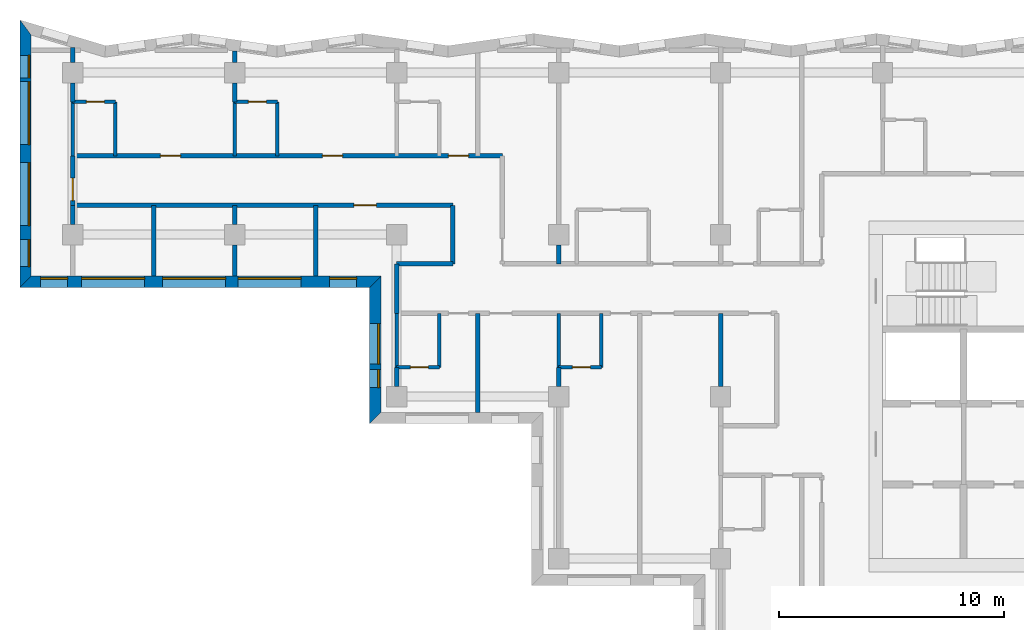
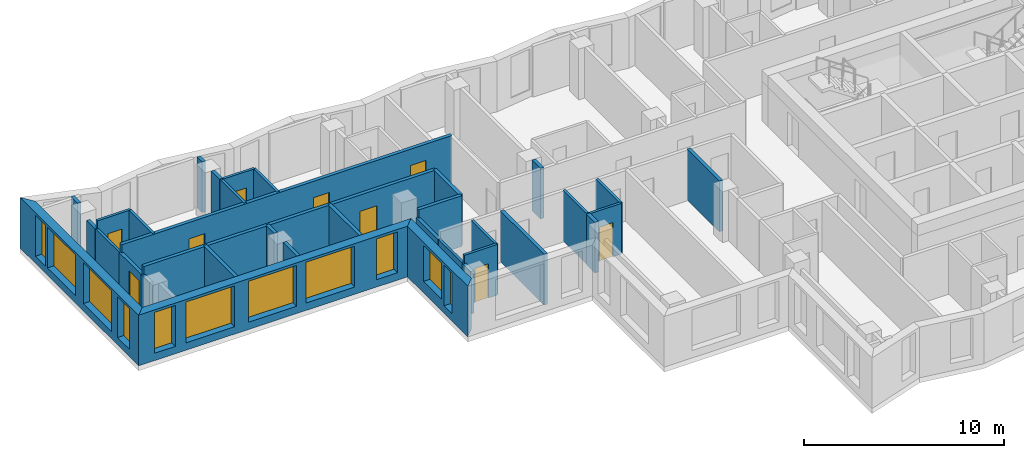
# One storey, part 4 of 12: 35 walls, 11 windows, 9 doors, 20 openings.
"""IFC4 building model written with IfcOpenShell, lengths in metres."""

from ifc_helpers import new_model, si_unit, direction, frame, frame_2d, origin, place, context, subcontext, project, spatial, polyline, rectangle, outline, extrude, material, layer, layer_set, type_object, element, fill, save


model = new_model("IFC4")

# Units and contexts
model_context = context("Model", 3, precision=1e-05, world=origin(), true_north=direction((0.0, 1.0)))
body_context = subcontext(model_context, "Body", "Model", "MODEL_VIEW")
ifc_project = project(units=[si_unit("LENGTHUNIT", "METRE"), si_unit("AREAUNIT", "SQUARE_METRE"), si_unit("VOLUMEUNIT", "CUBIC_METRE"), si_unit("PLANEANGLEUNIT", "RADIAN"), si_unit("MASSUNIT", "GRAM", prefix="KILO")], contexts=[model_context])

# Site, building, storey
site_placement = place(None, origin())
site = spatial("IfcSite", under=ifc_project, at=site_placement, CompositionType="ELEMENT")
building_placement = place(site_placement, origin())
building = spatial("IfcBuilding", under=site, at=building_placement, Name="Windrow Commons", CompositionType="ELEMENT")
storey_placement = place(building_placement, frame((0.0, 0.0, 162.6)))
storey = spatial("IfcBuildingStorey", under=building, at=storey_placement, Name="L44", CompositionType="ELEMENT", Elevation=162.6)

# Wall, openings, windows
ifc_material_1 = material(Name="Brick masonry, red clay brick", Category="masonry")
ifc_layer_1 = layer(ifc_material_1, 0.5)
ifc_layer_set_1 = layer_set([ifc_layer_1], Name="Brick facade wall 500")
wall_type_1 = type_object("IfcWallType", Name="Brick facade wall 500", PredefinedType="SOLIDWALL", material=ifc_layer_set_1)
wall_1_placement = place(storey_placement, frame((19.508, 74.006, 0.0), z_axis=(0.0, 0.0, 1.0), x_axis=(0.0, -1.0, 0.0)))
wall_1 = element("IfcWall", 1, at=wall_1_placement, inside=storey, type_object=wall_type_1, Name="Brick facade wall L44 35", PredefinedType="SOLIDWALL", context=body_context, shape_type="SweptSolid", body=[
    extrude(outline(polyline([(-0.336, -0.25), (11.548, -0.25), (11.048, 0.25), (0.336, 0.25), (-0.336, -0.25)])), origin(), (0.0, 0.0, 1.0), 3.1),
])
opening_1_placement = place(wall_1_placement, frame((2.406, 0.0, 0.45)))
opening_1 = element("IfcOpeningElement", 2, at=opening_1_placement, cuts=wall_1, Name="Opening W1U", PredefinedType="OPENING", context=body_context, shape_type="SweptSolid", body=[
    extrude(rectangle(XDim=2.8, YDim=2.5, at=frame_2d((1.4, 1.25))), frame((0.0, 0.26, 0.0), z_axis=(0.0, -1.0, 0.0), x_axis=(1.0, 0.0, 0.0)), (0.0, 0.0, 1.0), 0.52),
])
opening_2_placement = place(wall_1_placement, frame((6.006, 0.0, 0.45)))
opening_2 = element("IfcOpeningElement", 3, at=opening_2_placement, cuts=wall_1, Name="Opening W1U", PredefinedType="OPENING", context=body_context, shape_type="SweptSolid", body=[
    extrude(rectangle(XDim=2.8, YDim=2.5, at=frame_2d((1.4, 1.25))), frame((0.0, 0.26, 0.0), z_axis=(0.0, -1.0, 0.0), x_axis=(1.0, 0.0, 0.0)), (0.0, 0.0, 1.0), 0.52),
])
opening_3_placement = place(wall_1_placement, frame((9.427, 0.0, 0.45)))
opening_3 = element("IfcOpeningElement", 4, at=opening_3_placement, cuts=wall_1, Name="Opening W7E", PredefinedType="OPENING", context=body_context, shape_type="SweptSolid", body=[
    extrude(rectangle(XDim=1.2, YDim=2.5, at=frame_2d((0.6, 1.25))), frame((0.0, 0.26, 0.0), z_axis=(0.0, -1.0, 0.0), x_axis=(1.0, 0.0, 0.0)), (0.0, 0.0, 1.0), 0.52),
])
opening_4_placement = place(wall_1_placement, frame((1.231, 0.0, 0.45)))
opening_4 = element("IfcOpeningElement", 5, at=opening_4_placement, cuts=wall_1, Name="Opening W1S", PredefinedType="OPENING", context=body_context, shape_type="SweptSolid", body=[
    extrude(rectangle(XDim=1.0, YDim=2.5, at=frame_2d((0.5, 1.25))), frame((0.0, 0.26, 0.0), z_axis=(0.0, -1.0, 0.0), x_axis=(1.0, 0.0, 0.0)), (0.0, 0.0, 1.0), 0.52),
])
ifc_material_2 = material(Name="Clear float glass in anodised aluminium frame", Category="aluminium")
window_type_1 = type_object("IfcWindowType", Name="Window W1S slit 1000x2500", PartitioningType="SINGLE_PANEL", PredefinedType="WINDOW", material=ifc_material_2)
window_1_placement = place(opening_4_placement, origin())
window_1 = element("IfcWindow", 6, at=window_1_placement, inside=storey, type_object=window_type_1, Name="Window L44 35.3A", OverallHeight=2.5, OverallWidth=1.0, PartitioningType="SINGLE_PANEL", PredefinedType="WINDOW", context=body_context, shape_type="SweptSolid", body=[
    extrude(rectangle(XDim=1.0, YDim=2.5, at=frame_2d((0.5, 1.25))), frame((0.0, 0.18, 0.0), z_axis=(0.0, -1.0, 0.0), x_axis=(1.0, 0.0, 0.0)), (0.0, 0.0, 1.0), 0.06),
])
fill(opening_4, window_1)
ifc_material_3 = material(Name="Clear float glass in anodised aluminium frame", Category="aluminium")
window_type_2 = type_object("IfcWindowType", Name="Window W1U bedroom 2800x2500", PartitioningType="SINGLE_PANEL", PredefinedType="WINDOW", material=ifc_material_3)
window_2_placement = place(opening_1_placement, origin())
window_2 = element("IfcWindow", 7, at=window_2_placement, inside=storey, type_object=window_type_2, Name="Window L44 35.1", OverallHeight=2.5, OverallWidth=2.8, PartitioningType="SINGLE_PANEL", PredefinedType="WINDOW", context=body_context, shape_type="SweptSolid", body=[
    extrude(rectangle(XDim=2.8, YDim=2.5, at=frame_2d((1.4, 1.25))), frame((0.0, 0.18, 0.0), z_axis=(0.0, -1.0, 0.0), x_axis=(1.0, 0.0, 0.0)), (0.0, 0.0, 1.0), 0.06),
])
fill(opening_1, window_2)
window_3_placement = place(opening_2_placement, origin())
window_3 = element("IfcWindow", 8, at=window_3_placement, inside=storey, type_object=window_type_2, Name="Window L44 35.2", OverallHeight=2.5, OverallWidth=2.8, PartitioningType="SINGLE_PANEL", PredefinedType="WINDOW", context=body_context, shape_type="SweptSolid", body=[
    extrude(rectangle(XDim=2.8, YDim=2.5, at=frame_2d((1.4, 1.25))), frame((0.0, 0.18, 0.0), z_axis=(0.0, -1.0, 0.0), x_axis=(1.0, 0.0, 0.0)), (0.0, 0.0, 1.0), 0.06),
])
fill(opening_2, window_3)
ifc_material_4 = material(Name="Clear float glass in anodised aluminium frame", Category="aluminium")
window_type_3 = type_object("IfcWindowType", Name="Window W7 notch 1200x2500", PartitioningType="SINGLE_PANEL", PredefinedType="WINDOW", material=ifc_material_4)
window_4_placement = place(opening_3_placement, origin())
window_4 = element("IfcWindow", 9, at=window_4_placement, inside=storey, type_object=window_type_3, Name="Window L44 35.4", OverallHeight=2.5, OverallWidth=1.2, PartitioningType="SINGLE_PANEL", PredefinedType="WINDOW", context=body_context, shape_type="SweptSolid", body=[
    extrude(rectangle(XDim=1.2, YDim=2.5, at=frame_2d((0.6, 1.25))), frame((0.0, 0.18, 0.0), z_axis=(0.0, -1.0, 0.0), x_axis=(1.0, 0.0, 0.0)), (0.0, 0.0, 1.0), 0.06),
])
fill(opening_3, window_4)

wall_2_placement = place(storey_placement, frame((19.508, 62.708, 0.0), z_axis=(0.0, 0.0, 1.0), x_axis=(1.0, 0.0, 0.0)))
wall_2 = element("IfcWall", 10, at=wall_2_placement, inside=storey, type_object=wall_type_1, Name="Brick facade wall L44 36", PredefinedType="SOLIDWALL", context=body_context, shape_type="SweptSolid", body=[
    extrude(outline(polyline([(-0.25, -0.25), (15.292, -0.25), (15.792, 0.25), (0.25, 0.25), (-0.25, -0.25)])), origin(), (0.0, 0.0, 1.0), 3.1),
])
opening_5_placement = place(wall_2_placement, frame((2.492, 0.0, 0.45)))
opening_5 = element("IfcOpeningElement", 11, at=opening_5_placement, cuts=wall_2, Name="Opening W1U", PredefinedType="OPENING", context=body_context, shape_type="SweptSolid", body=[
    extrude(rectangle(XDim=2.8, YDim=2.5, at=frame_2d((1.4, 1.25))), frame((0.0, 0.26, 0.0), z_axis=(0.0, -1.0, 0.0), x_axis=(1.0, 0.0, 0.0)), (0.0, 0.0, 1.0), 0.52),
])
opening_6_placement = place(wall_2_placement, frame((6.092, 0.0, 0.45)))
opening_6 = element("IfcOpeningElement", 12, at=opening_6_placement, cuts=wall_2, Name="Opening W1U", PredefinedType="OPENING", context=body_context, shape_type="SweptSolid", body=[
    extrude(rectangle(XDim=2.8, YDim=2.5, at=frame_2d((1.4, 1.25))), frame((0.0, 0.26, 0.0), z_axis=(0.0, -1.0, 0.0), x_axis=(1.0, 0.0, 0.0)), (0.0, 0.0, 1.0), 0.52),
])
opening_7_placement = place(wall_2_placement, frame((9.442, 0.0, 0.45)))
opening_7 = element("IfcOpeningElement", 13, at=opening_7_placement, cuts=wall_2, Name="Opening W1U", PredefinedType="OPENING", context=body_context, shape_type="SweptSolid", body=[
    extrude(rectangle(XDim=2.8, YDim=2.5, at=frame_2d((1.4, 1.25))), frame((0.0, 0.26, 0.0), z_axis=(0.0, -1.0, 0.0), x_axis=(1.0, 0.0, 0.0)), (0.0, 0.0, 1.0), 0.52),
])
opening_8_placement = place(wall_2_placement, frame((0.671, 0.0, 0.45)))
opening_8 = element("IfcOpeningElement", 14, at=opening_8_placement, cuts=wall_2, Name="Opening W7E", PredefinedType="OPENING", context=body_context, shape_type="SweptSolid", body=[
    extrude(rectangle(XDim=1.2, YDim=2.5, at=frame_2d((0.6, 1.25))), frame((0.0, 0.26, 0.0), z_axis=(0.0, -1.0, 0.0), x_axis=(1.0, 0.0, 0.0)), (0.0, 0.0, 1.0), 0.52),
])
opening_9_placement = place(wall_2_placement, frame((13.517, 0.0, 0.45)))
opening_9 = element("IfcOpeningElement", 15, at=opening_9_placement, cuts=wall_2, Name="Opening W7E", PredefinedType="OPENING", context=body_context, shape_type="SweptSolid", body=[
    extrude(rectangle(XDim=1.2, YDim=2.5, at=frame_2d((0.6, 1.25))), frame((0.0, 0.26, 0.0), z_axis=(0.0, -1.0, 0.0), x_axis=(1.0, 0.0, 0.0)), (0.0, 0.0, 1.0), 0.52),
])
window_5_placement = place(opening_5_placement, origin())
window_5 = element("IfcWindow", 16, at=window_5_placement, inside=storey, type_object=window_type_2, Name="Window L44 36.1", OverallHeight=2.5, OverallWidth=2.8, PartitioningType="SINGLE_PANEL", PredefinedType="WINDOW", context=body_context, shape_type="SweptSolid", body=[
    extrude(rectangle(XDim=2.8, YDim=2.5, at=frame_2d((1.4, 1.25))), frame((0.0, 0.18, 0.0), z_axis=(0.0, -1.0, 0.0), x_axis=(1.0, 0.0, 0.0)), (0.0, 0.0, 1.0), 0.06),
])
fill(opening_5, window_5)
window_6_placement = place(opening_6_placement, origin())
window_6 = element("IfcWindow", 17, at=window_6_placement, inside=storey, type_object=window_type_2, Name="Window L44 36.2", OverallHeight=2.5, OverallWidth=2.8, PartitioningType="SINGLE_PANEL", PredefinedType="WINDOW", context=body_context, shape_type="SweptSolid", body=[
    extrude(rectangle(XDim=2.8, YDim=2.5, at=frame_2d((1.4, 1.25))), frame((0.0, 0.18, 0.0), z_axis=(0.0, -1.0, 0.0), x_axis=(1.0, 0.0, 0.0)), (0.0, 0.0, 1.0), 0.06),
])
fill(opening_6, window_6)
window_7_placement = place(opening_7_placement, origin())
window_7 = element("IfcWindow", 18, at=window_7_placement, inside=storey, type_object=window_type_2, Name="Window L44 36.3", OverallHeight=2.5, OverallWidth=2.8, PartitioningType="SINGLE_PANEL", PredefinedType="WINDOW", context=body_context, shape_type="SweptSolid", body=[
    extrude(rectangle(XDim=2.8, YDim=2.5, at=frame_2d((1.4, 1.25))), frame((0.0, 0.18, 0.0), z_axis=(0.0, -1.0, 0.0), x_axis=(1.0, 0.0, 0.0)), (0.0, 0.0, 1.0), 0.06),
])
fill(opening_7, window_7)
window_8_placement = place(opening_8_placement, origin())
window_8 = element("IfcWindow", 19, at=window_8_placement, inside=storey, type_object=window_type_3, Name="Window L44 36.4", OverallHeight=2.5, OverallWidth=1.2, PartitioningType="SINGLE_PANEL", PredefinedType="WINDOW", context=body_context, shape_type="SweptSolid", body=[
    extrude(rectangle(XDim=1.2, YDim=2.5, at=frame_2d((0.6, 1.25))), frame((0.0, 0.18, 0.0), z_axis=(0.0, -1.0, 0.0), x_axis=(1.0, 0.0, 0.0)), (0.0, 0.0, 1.0), 0.06),
])
fill(opening_8, window_8)
window_9_placement = place(opening_9_placement, origin())
window_9 = element("IfcWindow", 20, at=window_9_placement, inside=storey, type_object=window_type_3, Name="Window L44 36.5", OverallHeight=2.5, OverallWidth=1.2, PartitioningType="SINGLE_PANEL", PredefinedType="WINDOW", context=body_context, shape_type="SweptSolid", body=[
    extrude(rectangle(XDim=1.2, YDim=2.5, at=frame_2d((0.6, 1.25))), frame((0.0, 0.18, 0.0), z_axis=(0.0, -1.0, 0.0), x_axis=(1.0, 0.0, 0.0)), (0.0, 0.0, 1.0), 0.06),
])
fill(opening_9, window_9)

wall_3_placement = place(storey_placement, frame((35.05, 62.708, 0.0), z_axis=(0.0, 0.0, 1.0), x_axis=(0.0, -1.0, 0.0)))
wall_3 = element("IfcWall", 21, at=wall_3_placement, inside=storey, type_object=wall_type_1, Name="Brick facade wall L44 37", PredefinedType="SOLIDWALL", context=body_context, shape_type="SweptSolid", body=[
    extrude(outline(polyline([(0.25, -0.25), (6.308, -0.25), (5.808, 0.25), (-0.25, 0.25), (0.25, -0.25)])), origin(), (0.0, 0.0, 1.0), 3.1),
])
opening_10_placement = place(wall_3_placement, frame((1.858, 0.0, 0.7)))
opening_10 = element("IfcOpeningElement", 22, at=opening_10_placement, cuts=wall_3, Name="Opening W6", PredefinedType="OPENING", context=body_context, shape_type="SweptSolid", body=[
    extrude(rectangle(XDim=1.8, YDim=2.2, at=frame_2d((0.9, 1.1))), frame((0.0, 0.26, 0.0), z_axis=(0.0, -1.0, 0.0), x_axis=(1.0, 0.0, 0.0)), (0.0, 0.0, 1.0), 0.52),
])
opening_11_placement = place(wall_3_placement, frame((3.908, 0.0, 0.45)))
opening_11 = element("IfcOpeningElement", 23, at=opening_11_placement, cuts=wall_3, Name="Opening W1N", PredefinedType="OPENING", context=body_context, shape_type="SweptSolid", body=[
    extrude(rectangle(XDim=0.8, YDim=2.5, at=frame_2d((0.4, 1.25))), frame((0.0, 0.26, 0.0), z_axis=(0.0, -1.0, 0.0), x_axis=(1.0, 0.0, 0.0)), (0.0, 0.0, 1.0), 0.52),
])
ifc_material_5 = material(Name="Clear float glass in anodised aluminium frame", Category="aluminium")
window_type_4 = type_object("IfcWindowType", Name="Window W1N slit 800x2500", PartitioningType="SINGLE_PANEL", PredefinedType="WINDOW", material=ifc_material_5)
window_10_placement = place(opening_11_placement, origin())
window_10 = element("IfcWindow", 24, at=window_10_placement, inside=storey, type_object=window_type_4, Name="Window L44 37.1B", OverallHeight=2.5, OverallWidth=0.8, PartitioningType="SINGLE_PANEL", PredefinedType="WINDOW", context=body_context, shape_type="SweptSolid", body=[
    extrude(rectangle(XDim=0.8, YDim=2.5, at=frame_2d((0.4, 1.25))), frame((0.0, 0.18, 0.0), z_axis=(0.0, -1.0, 0.0), x_axis=(1.0, 0.0, 0.0)), (0.0, 0.0, 1.0), 0.06),
])
fill(opening_11, window_10)
ifc_material_6 = material(Name="Clear float glass in anodised aluminium frame", Category="aluminium")
window_type_5 = type_object("IfcWindowType", Name="Window W6 crown 1800x2200", PartitioningType="SINGLE_PANEL", PredefinedType="WINDOW", material=ifc_material_6)
window_11_placement = place(opening_10_placement, origin())
window_11 = element("IfcWindow", 25, at=window_11_placement, inside=storey, type_object=window_type_5, Name="Window L44 37.1A", OverallHeight=2.2, OverallWidth=1.8, PartitioningType="SINGLE_PANEL", PredefinedType="WINDOW", context=body_context, shape_type="SweptSolid", body=[
    extrude(rectangle(XDim=1.8, YDim=2.2, at=frame_2d((0.9, 1.1))), frame((0.0, 0.18, 0.0), z_axis=(0.0, -1.0, 0.0), x_axis=(1.0, 0.0, 0.0)), (0.0, 0.0, 1.0), 0.06),
])
fill(opening_10, window_11)

# Wall, openings, doors
ifc_material_7 = material(Name="Blockwork partition", Category="masonry")
ifc_layer_2 = layer(ifc_material_7, 0.2)
ifc_layer_set_2 = layer_set([ifc_layer_2], Name="IW-CORRIDOR-200")
wall_type_2 = type_object("IfcWallType", Name="IW-CORRIDOR-200", PredefinedType="PARTITIONING", material=ifc_layer_set_2)
wall_4_placement = place(storey_placement, frame((21.6, 68.3, 0.0), z_axis=(0.0, 0.0, 1.0), x_axis=(1.0, 0.0, 0.0)))
wall_4 = element("IfcWall", 26, at=wall_4_placement, inside=storey, type_object=wall_type_2, Name="W-L44-W002", PredefinedType="PARTITIONING", context=body_context, shape_type="SweptSolid", body=[
    extrude(rectangle(XDim=19.1, YDim=0.2, at=frame_2d((9.55, 0.0))), origin(), (0.0, 0.0, 1.0), 3.1),
])
opening_12_placement = place(wall_4_placement, frame((3.8994, 0.0, 0.0)))
opening_12 = element("IfcOpeningElement", 27, at=opening_12_placement, cuts=wall_4, Name="Opening D109F", PredefinedType="OPENING", context=body_context, shape_type="SweptSolid", body=[
    extrude(rectangle(XDim=0.9, YDim=2.1, at=frame_2d((0.45, 1.05))), frame((0.0, 0.11, 0.0), z_axis=(0.0, -1.0, 0.0), x_axis=(1.0, 0.0, 0.0)), (0.0, 0.0, 1.0), 0.22),
])
opening_13_placement = place(wall_4_placement, frame((11.0994, 0.0, 0.0)))
opening_13 = element("IfcOpeningElement", 28, at=opening_13_placement, cuts=wall_4, Name="Opening D109F", PredefinedType="OPENING", context=body_context, shape_type="SweptSolid", body=[
    extrude(rectangle(XDim=0.9, YDim=2.1, at=frame_2d((0.45, 1.05))), frame((0.0, 0.11, 0.0), z_axis=(0.0, -1.0, 0.0), x_axis=(1.0, 0.0, 0.0)), (0.0, 0.0, 1.0), 0.22),
])
opening_14_placement = place(wall_4_placement, frame((16.7, 0.0, 0.0)))
opening_14 = element("IfcOpeningElement", 29, at=opening_14_placement, cuts=wall_4, Name="Opening D109S", PredefinedType="OPENING", context=body_context, shape_type="SweptSolid", body=[
    extrude(rectangle(XDim=0.9, YDim=2.1, at=frame_2d((0.45, 1.05))), frame((0.0, 0.11, 0.0), z_axis=(0.0, -1.0, 0.0), x_axis=(1.0, 0.0, 0.0)), (0.0, 0.0, 1.0), 0.22),
])
ifc_material_8 = material(Name="Timber door leaf", Category="wood")
door_type_1 = type_object("IfcDoorType", Name="DT-BEDROOM-900", OperationType="SINGLE_SWING_LEFT", PredefinedType="DOOR", material=ifc_material_8)
door_1_placement = place(opening_12_placement, origin())
door_1 = element("IfcDoor", 30, at=door_1_placement, inside=storey, type_object=door_type_1, Name="D-L44-D004", OperationType="SINGLE_SWING_RIGHT", OverallHeight=2.1, OverallWidth=0.9, PredefinedType="DOOR", context=body_context, shape_type="SweptSolid", body=[
    extrude(rectangle(XDim=0.9, YDim=2.1, at=frame_2d((0.45, 1.05))), frame((0.0, 0.025, 0.0), z_axis=(0.0, -1.0, 0.0), x_axis=(1.0, 0.0, 0.0)), (0.0, 0.0, 1.0), 0.05),
])
fill(opening_12, door_1)
door_2_placement = place(opening_13_placement, origin())
door_2 = element("IfcDoor", 31, at=door_2_placement, inside=storey, type_object=door_type_1, Name="D-L44-D006", OperationType="SINGLE_SWING_RIGHT", OverallHeight=2.1, OverallWidth=0.9, PredefinedType="DOOR", context=body_context, shape_type="SweptSolid", body=[
    extrude(rectangle(XDim=0.9, YDim=2.1, at=frame_2d((0.45, 1.05))), frame((0.0, 0.025, 0.0), z_axis=(0.0, -1.0, 0.0), x_axis=(1.0, 0.0, 0.0)), (0.0, 0.0, 1.0), 0.05),
])
fill(opening_13, door_2)
door_3_placement = place(opening_14_placement, origin())
door_3 = element("IfcDoor", 32, at=door_3_placement, inside=storey, type_object=door_type_1, Name="D-L44-D008", OperationType="SINGLE_SWING_RIGHT", OverallHeight=2.1, OverallWidth=0.9, PredefinedType="DOOR", context=body_context, shape_type="SweptSolid", body=[
    extrude(rectangle(XDim=0.9, YDim=2.1, at=frame_2d((0.45, 1.05))), frame((0.0, 0.025, 0.0), z_axis=(0.0, -1.0, 0.0), x_axis=(1.0, 0.0, 0.0)), (0.0, 0.0, 1.0), 0.05),
])
fill(opening_14, door_3)

# Wall, opening, door
wall_5_placement = place(storey_placement, frame((21.6, 66.1, 0.0), z_axis=(0.0, 0.0, 1.0), x_axis=(1.0, 0.0, 0.0)))
wall_5 = element("IfcWall", 33, at=wall_5_placement, inside=storey, type_object=wall_type_2, Name="W-L44-W003", PredefinedType="PARTITIONING", context=body_context, shape_type="SweptSolid", body=[
    extrude(rectangle(XDim=16.9, YDim=0.2, at=frame_2d((8.45, 0.0))), origin(), (0.0, 0.0, 1.0), 3.1),
])
opening_15_placement = place(wall_5_placement, frame((12.4933, 0.0, 0.0)))
opening_15 = element("IfcOpeningElement", 34, at=opening_15_placement, cuts=wall_5, Name="Opening D310F", PredefinedType="OPENING", context=body_context, shape_type="SweptSolid", body=[
    extrude(rectangle(XDim=1.0, YDim=2.1, at=frame_2d((0.5, 1.05))), frame((0.0, 0.11, 0.0), z_axis=(0.0, -1.0, 0.0), x_axis=(1.0, 0.0, 0.0)), (0.0, 0.0, 1.0), 0.22),
])
ifc_material_9 = material(Name="Timber door leaf", Category="wood")
door_type_2 = type_object("IfcDoorType", Name="DT-AMENITY-1000", OperationType="SINGLE_SWING_LEFT", PredefinedType="DOOR", material=ifc_material_9)
door_4_placement = place(opening_15_placement, origin())
door_4 = element("IfcDoor", 35, at=door_4_placement, inside=storey, type_object=door_type_2, Name="D-L44-D010", OperationType="SINGLE_SWING_RIGHT", OverallHeight=2.1, OverallWidth=1.0, PredefinedType="DOOR", context=body_context, shape_type="SweptSolid", body=[
    extrude(rectangle(XDim=1.0, YDim=2.1, at=frame_2d((0.5, 1.05))), frame((0.0, 0.025, 0.0), z_axis=(0.0, -1.0, 0.0), x_axis=(1.0, 0.0, 0.0)), (0.0, 0.0, 1.0), 0.05),
])
fill(opening_15, door_4)

# Walls
wall_6_placement = place(storey_placement, frame((38.5, 63.502, 0.0), z_axis=(0.0, 0.0, 1.0), x_axis=(0.0, 1.0, 0.0)))
element("IfcWall", 36, at=wall_6_placement, inside=storey, type_object=wall_type_2, Name="W-L44-W065", PredefinedType="PARTITIONING", context=body_context, shape_type="SweptSolid", body=[
    extrude(rectangle(XDim=2.598, YDim=0.2, at=frame_2d((1.299, 0.0))), origin(), (0.0, 0.0, 1.0), 3.1),
])
wall_7_placement = place(storey_placement, frame((36.002, 63.5, 0.0), z_axis=(0.0, 0.0, 1.0), x_axis=(1.0, 0.0, 0.0)))
element("IfcWall", 37, at=wall_7_placement, inside=storey, type_object=wall_type_2, Name="W-L44-W067", PredefinedType="PARTITIONING", context=body_context, shape_type="SweptSolid", body=[
    extrude(rectangle(XDim=2.498, YDim=0.2, at=frame_2d((1.249, 0.0))), origin(), (0.0, 0.0, 1.0), 3.1),
])

# Wall, opening, door
wall_8_placement = place(storey_placement, frame((21.6, 66.1, 0.0), z_axis=(0.0, 0.0, 1.0), x_axis=(0.0, 1.0, 0.0)))
wall_8 = element("IfcWall", 38, at=wall_8_placement, inside=storey, type_object=wall_type_2, Name="W-L44-W107", PredefinedType="PARTITIONING", context=body_context, shape_type="SweptSolid", body=[
    extrude(rectangle(XDim=2.2, YDim=0.2, at=frame_2d((1.1, 0.0))), origin(), (0.0, 0.0, 1.0), 2.6),
])
opening_16_placement = place(wall_8_placement, frame((0.2133, 0.0, 0.0)))
opening_16 = element("IfcOpeningElement", 39, at=opening_16_placement, cuts=wall_8, Name="Opening D310F", PredefinedType="OPENING", context=body_context, shape_type="SweptSolid", body=[
    extrude(rectangle(XDim=1.0, YDim=2.1, at=frame_2d((0.5, 1.05))), frame((0.0, 0.11, 0.0), z_axis=(0.0, -1.0, 0.0), x_axis=(1.0, 0.0, 0.0)), (0.0, 0.0, 1.0), 0.22),
])
door_5_placement = place(opening_16_placement, origin())
door_5 = element("IfcDoor", 40, at=door_5_placement, inside=storey, type_object=door_type_2, Name="D-L44-D000", OperationType="SINGLE_SWING_LEFT", OverallHeight=2.1, OverallWidth=1.0, PredefinedType="DOOR", context=body_context, shape_type="SweptSolid", body=[
    extrude(rectangle(XDim=1.0, YDim=2.1, at=frame_2d((0.5, 1.05))), frame((0.0, 0.025, 0.0), z_axis=(0.0, -1.0, 0.0), x_axis=(1.0, 0.0, 0.0)), (0.0, 0.0, 1.0), 0.05),
])
fill(opening_16, door_5)

# Walls
wall_9_placement = place(storey_placement, frame((36.0, 61.3, 0.0), z_axis=(0.0, 0.0, 1.0), x_axis=(0.0, 1.0, 0.0)))
element("IfcWall", 41, at=wall_9_placement, inside=storey, type_object=wall_type_2, Name="W-L44-W108", PredefinedType="PARTITIONING", context=body_context, shape_type="SweptSolid", body=[
    extrude(rectangle(XDim=2.2, YDim=0.2, at=frame_2d((1.1, 0.0))), origin(), (0.0, 0.0, 1.0), 2.6),
])
ifc_material_10 = material(Name="Blockwork partition", Category="masonry")
ifc_layer_3 = layer(ifc_material_10, 0.15)
ifc_layer_set_3 = layer_set([ifc_layer_3], Name="IW-ENSUITE-150")
wall_type_3 = type_object("IfcWallType", Name="IW-ENSUITE-150", PredefinedType="PARTITIONING", material=ifc_layer_set_3)
wall_10_placement = place(storey_placement, frame((21.6, 68.3, 0.0), z_axis=(0.0, 0.0, 1.0), x_axis=(0.0, 1.0, 0.0)))
element("IfcWall", 42, at=wall_10_placement, inside=storey, type_object=wall_type_3, Name="W-L44-W072", PredefinedType="PARTITIONING", context=body_context, shape_type="SweptSolid", body=[
    extrude(rectangle(XDim=2.4, YDim=0.15, at=frame_2d((1.2, 0.0))), origin(), (0.0, 0.0, 1.0), 2.6),
])
for number, where, z_axis, x_axis, name in (
    (43, (23.5, 68.3, 0.0), (0.0, 0.0, 1.0), (0.0, 1.0, 0.0), "W-L44-W073"),
    (44, (28.8, 68.3, 0.0), (0.0, 0.0, 1.0), (0.0, 1.0, 0.0), "W-L44-W074"),
    (45, (30.7, 68.3, 0.0), (0.0, 0.0, 1.0), (0.0, 1.0, 0.0), "W-L44-W075"),
    (46, (37.9, 58.9, 0.0), (0.0, 0.0, 1.0), (0.0, 1.0, 0.0), "W-L44-W092"),
):
    element("IfcWall", number, at=place(storey_placement, frame(where, z_axis=z_axis, x_axis=x_axis)), inside=storey, type_object=wall_type_3, Name=name, PredefinedType="PARTITIONING", context=body_context, shape_type="SweptSolid", body=[
        extrude(rectangle(XDim=2.4, YDim=0.15, at=frame_2d((1.2, 0.0))), origin(), (0.0, 0.0, 1.0), 3.1),
    ])
wall_11_placement = place(storey_placement, frame((36.0, 58.9, 0.0), z_axis=(0.0, 0.0, 1.0), x_axis=(0.0, 1.0, 0.0)))
element("IfcWall", 47, at=wall_11_placement, inside=storey, type_object=wall_type_3, Name="W-L44-W093", PredefinedType="PARTITIONING", context=body_context, shape_type="SweptSolid", body=[
    extrude(rectangle(XDim=2.4, YDim=0.15, at=frame_2d((1.2, 0.0))), origin(), (0.0, 0.0, 1.0), 2.6),
])
for number, where, z_axis, x_axis, name in (
    (48, (45.1, 58.9, 0.0), (0.0, 0.0, 1.0), (0.0, 1.0, 0.0), "W-L44-W094"),
    (49, (43.2, 58.9, 0.0), (0.0, 0.0, 1.0), (0.0, 1.0, 0.0), "W-L44-W095"),
):
    element("IfcWall", number, at=place(storey_placement, frame(where, z_axis=z_axis, x_axis=x_axis)), inside=storey, type_object=wall_type_3, Name=name, PredefinedType="PARTITIONING", context=body_context, shape_type="SweptSolid", body=[
        extrude(rectangle(XDim=2.4, YDim=0.15, at=frame_2d((1.2, 0.0))), origin(), (0.0, 0.0, 1.0), 3.1),
    ])

# Wall, opening, door
wall_12_placement = place(storey_placement, frame((21.6, 70.7, 0.0), z_axis=(0.0, 0.0, 1.0), x_axis=(1.0, 0.0, 0.0)))
wall_12 = element("IfcWall", 50, at=wall_12_placement, inside=storey, type_object=wall_type_3, Name="W-L44-W117", PredefinedType="PARTITIONING", context=body_context, shape_type="SweptSolid", body=[
    extrude(rectangle(XDim=1.9, YDim=0.15, at=frame_2d((0.95, 0.0))), origin(), (0.0, 0.0, 1.0), 3.1),
])
opening_17_placement = place(wall_12_placement, frame((0.6069, 0.0, 0.0)))
opening_17 = element("IfcOpeningElement", 51, at=opening_17_placement, cuts=wall_12, Name="Opening D208N", PredefinedType="OPENING", context=body_context, shape_type="SweptSolid", body=[
    extrude(rectangle(XDim=0.8, YDim=2.1, at=frame_2d((0.4, 1.05))), frame((0.0, 0.085, 0.0), z_axis=(0.0, -1.0, 0.0), x_axis=(1.0, 0.0, 0.0)), (0.0, 0.0, 1.0), 0.17),
])
ifc_material_11 = material(Name="Timber door leaf", Category="wood")
door_type_3 = type_object("IfcDoorType", Name="DT-ENSUITE-800", OperationType="SINGLE_SWING_LEFT", PredefinedType="DOOR", material=ifc_material_11)
door_6_placement = place(opening_17_placement, origin())
door_6 = element("IfcDoor", 52, at=door_6_placement, inside=storey, type_object=door_type_3, Name="D-L44-D005", OperationType="SINGLE_SWING_RIGHT", OverallHeight=2.1, OverallWidth=0.8, PredefinedType="DOOR", context=body_context, shape_type="SweptSolid", body=[
    extrude(rectangle(XDim=0.8, YDim=2.1, at=frame_2d((0.4, 1.05))), frame((0.0, 0.025, 0.0), z_axis=(0.0, -1.0, 0.0), x_axis=(1.0, 0.0, 0.0)), (0.0, 0.0, 1.0), 0.05),
])
fill(opening_17, door_6)

wall_13_placement = place(storey_placement, frame((28.8, 70.7, 0.0), z_axis=(0.0, 0.0, 1.0), x_axis=(1.0, 0.0, 0.0)))
wall_13 = element("IfcWall", 53, at=wall_13_placement, inside=storey, type_object=wall_type_3, Name="W-L44-W118", PredefinedType="PARTITIONING", context=body_context, shape_type="SweptSolid", body=[
    extrude(rectangle(XDim=1.9, YDim=0.15, at=frame_2d((0.95, 0.0))), origin(), (0.0, 0.0, 1.0), 3.1),
])
opening_18_placement = place(wall_13_placement, frame((0.6069, 0.0, 0.0)))
opening_18 = element("IfcOpeningElement", 54, at=opening_18_placement, cuts=wall_13, Name="Opening D208N", PredefinedType="OPENING", context=body_context, shape_type="SweptSolid", body=[
    extrude(rectangle(XDim=0.8, YDim=2.1, at=frame_2d((0.4, 1.05))), frame((0.0, 0.085, 0.0), z_axis=(0.0, -1.0, 0.0), x_axis=(1.0, 0.0, 0.0)), (0.0, 0.0, 1.0), 0.17),
])
door_7_placement = place(opening_18_placement, origin())
door_7 = element("IfcDoor", 55, at=door_7_placement, inside=storey, type_object=door_type_3, Name="D-L44-D007", OperationType="SINGLE_SWING_RIGHT", OverallHeight=2.1, OverallWidth=0.8, PredefinedType="DOOR", context=body_context, shape_type="SweptSolid", body=[
    extrude(rectangle(XDim=0.8, YDim=2.1, at=frame_2d((0.4, 1.05))), frame((0.0, 0.025, 0.0), z_axis=(0.0, -1.0, 0.0), x_axis=(1.0, 0.0, 0.0)), (0.0, 0.0, 1.0), 0.05),
])
fill(opening_18, door_7)

wall_14_placement = place(storey_placement, frame((36.0, 58.9, 0.0), z_axis=(0.0, 0.0, 1.0), x_axis=(1.0, 0.0, 0.0)))
wall_14 = element("IfcWall", 56, at=wall_14_placement, inside=storey, type_object=wall_type_3, Name="W-L44-W120", PredefinedType="PARTITIONING", context=body_context, shape_type="SweptSolid", body=[
    extrude(rectangle(XDim=1.9, YDim=0.15, at=frame_2d((0.95, 0.0))), origin(), (0.0, 0.0, 1.0), 3.1),
])
opening_19_placement = place(wall_14_placement, frame((0.6069, 0.0, 0.0)))
opening_19 = element("IfcOpeningElement", 57, at=opening_19_placement, cuts=wall_14, Name="Opening D208N", PredefinedType="OPENING", context=body_context, shape_type="SweptSolid", body=[
    extrude(rectangle(XDim=0.8, YDim=2.1, at=frame_2d((0.4, 1.05))), frame((0.0, 0.085, 0.0), z_axis=(0.0, -1.0, 0.0), x_axis=(1.0, 0.0, 0.0)), (0.0, 0.0, 1.0), 0.17),
])
door_8_placement = place(opening_19_placement, origin())
door_8 = element("IfcDoor", 58, at=door_8_placement, inside=storey, type_object=door_type_3, Name="D-L44-D012", OperationType="SINGLE_SWING_RIGHT", OverallHeight=2.1, OverallWidth=0.8, PredefinedType="DOOR", context=body_context, shape_type="SweptSolid", body=[
    extrude(rectangle(XDim=0.8, YDim=2.1, at=frame_2d((0.4, 1.05))), frame((0.0, 0.025, 0.0), z_axis=(0.0, -1.0, 0.0), x_axis=(1.0, 0.0, 0.0)), (0.0, 0.0, 1.0), 0.05),
])
fill(opening_19, door_8)

wall_15_placement = place(storey_placement, frame((43.2, 58.9, 0.0), z_axis=(0.0, 0.0, 1.0), x_axis=(1.0, 0.0, 0.0)))
wall_15 = element("IfcWall", 59, at=wall_15_placement, inside=storey, type_object=wall_type_3, Name="W-L44-W121", PredefinedType="PARTITIONING", context=body_context, shape_type="SweptSolid", body=[
    extrude(rectangle(XDim=1.9, YDim=0.15, at=frame_2d((0.95, 0.0))), origin(), (0.0, 0.0, 1.0), 3.1),
])
opening_20_placement = place(wall_15_placement, frame((0.6069, 0.0, 0.0)))
opening_20 = element("IfcOpeningElement", 60, at=opening_20_placement, cuts=wall_15, Name="Opening D208N", PredefinedType="OPENING", context=body_context, shape_type="SweptSolid", body=[
    extrude(rectangle(XDim=0.8, YDim=2.1, at=frame_2d((0.4, 1.05))), frame((0.0, 0.085, 0.0), z_axis=(0.0, -1.0, 0.0), x_axis=(1.0, 0.0, 0.0)), (0.0, 0.0, 1.0), 0.17),
])
door_9_placement = place(opening_20_placement, origin())
door_9 = element("IfcDoor", 61, at=door_9_placement, inside=storey, type_object=door_type_3, Name="D-L44-D015", OperationType="SINGLE_SWING_RIGHT", OverallHeight=2.1, OverallWidth=0.8, PredefinedType="DOOR", context=body_context, shape_type="SweptSolid", body=[
    extrude(rectangle(XDim=0.8, YDim=2.1, at=frame_2d((0.4, 1.05))), frame((0.0, 0.025, 0.0), z_axis=(0.0, -1.0, 0.0), x_axis=(1.0, 0.0, 0.0)), (0.0, 0.0, 1.0), 0.05),
])
fill(opening_20, door_9)

# Walls
ifc_material_12 = material(Name="Blockwork partition", Category="masonry")
ifc_layer_4 = layer(ifc_material_12, 0.2)
ifc_layer_set_4 = layer_set([ifc_layer_4], Name="IW-PARTY-200")
wall_type_4 = type_object("IfcWallType", Name="IW-PARTY-200", PredefinedType="PARTITIONING", material=ifc_layer_set_4)
wall_16_placement = place(storey_placement, frame((39.6, 56.9, 0.0), z_axis=(0.0, 0.0, 1.0), x_axis=(0.0, 1.0, 0.0)))
element("IfcWall", 62, at=wall_16_placement, inside=storey, type_object=wall_type_4, Name="W-L44-W039", PredefinedType="PARTITIONING", context=body_context, shape_type="SweptSolid", body=[
    extrude(rectangle(XDim=4.4, YDim=0.2, at=frame_2d((2.2, 0.0))), origin(), (0.0, 0.0, 1.0), 3.1),
])
wall_17_placement = place(storey_placement, frame((50.4, 58.05, 0.0), z_axis=(0.0, 0.0, 1.0), x_axis=(0.0, 1.0, 0.0)))
element("IfcWall", 63, at=wall_17_placement, inside=storey, type_object=wall_type_4, Name="W-L44-W048", PredefinedType="PARTITIONING", context=body_context, shape_type="SweptSolid", body=[
    extrude(rectangle(XDim=3.25, YDim=0.2, at=frame_2d((1.625, 0.0))), origin(), (0.0, 0.0, 1.0), 3.1),
])
for number, where, z_axis, x_axis, name in (
    (64, (25.2, 62.958, 0.0), (0.0, 0.0, 1.0), (0.0, 1.0, 0.0), "W-L44-W060"),
    (65, (32.4, 62.958, 0.0), (0.0, 0.0, 1.0), (0.0, 1.0, 0.0), "W-L44-W061"),
):
    element("IfcWall", number, at=place(storey_placement, frame(where, z_axis=z_axis, x_axis=x_axis)), inside=storey, type_object=wall_type_4, Name=name, PredefinedType="PARTITIONING", context=body_context, shape_type="SweptSolid", body=[
        extrude(rectangle(XDim=3.142, YDim=0.2, at=frame_2d((1.571, 0.0))), origin(), (0.0, 0.0, 1.0), 3.1),
    ])
wall_18_placement = place(storey_placement, frame((28.8, 62.958, 0.0), z_axis=(0.0, 0.0, 1.0), x_axis=(0.0, 1.0, 0.0)))
element("IfcWall", 66, at=wall_18_placement, inside=storey, type_object=wall_type_4, Name="W-L44-W137", PredefinedType="PARTITIONING", context=body_context, shape_type="SweptSolid", body=[
    extrude(rectangle(XDim=1.392, YDim=0.2, at=frame_2d((0.696, 0.0))), origin(), (0.0, 0.0, 1.0), 3.1),
])
wall_19_placement = place(storey_placement, frame((36.0, 58.05, 0.0), z_axis=(0.0, 0.0, 1.0), x_axis=(0.0, 1.0, 0.0)))
element("IfcWall", 67, at=wall_19_placement, inside=storey, type_object=wall_type_4, Name="W-L44-W141", PredefinedType="PARTITIONING", context=body_context, shape_type="SweptSolid", body=[
    extrude(rectangle(XDim=0.85, YDim=0.2, at=frame_2d((0.425, 0.0))), origin(), (0.0, 0.0, 1.0), 2.6),
])
wall_20_placement = place(storey_placement, frame((43.2, 58.05, 0.0), z_axis=(0.0, 0.0, 1.0), x_axis=(0.0, 1.0, 0.0)))
element("IfcWall", 68, at=wall_20_placement, inside=storey, type_object=wall_type_4, Name="W-L44-W142", PredefinedType="PARTITIONING", context=body_context, shape_type="SweptSolid", body=[
    extrude(rectangle(XDim=0.85, YDim=0.2, at=frame_2d((0.425, 0.0))), origin(), (0.0, 0.0, 1.0), 3.1),
])
for number, where, z_axis, x_axis, name in (
    (69, (21.6, 65.25, 0.0), (0.0, 0.0, 1.0), (0.0, 1.0, 0.0), "W-L44-W145"),
    (70, (21.6, 70.7, 0.0), (0.0, 0.0, 1.0), (0.0, 1.0, 0.0), "W-L44-W146"),
):
    element("IfcWall", number, at=place(storey_placement, frame(where, z_axis=z_axis, x_axis=x_axis)), inside=storey, type_object=wall_type_4, Name=name, PredefinedType="PARTITIONING", context=body_context, shape_type="SweptSolid", body=[
        extrude(rectangle(XDim=0.85, YDim=0.2, at=frame_2d((0.425, 0.0))), origin(), (0.0, 0.0, 1.0), 2.6),
    ])
for number, where, z_axis, x_axis, name in (
    (71, (28.8, 65.25, 0.0), (0.0, 0.0, 1.0), (0.0, 1.0, 0.0), "W-L44-W147"),
    (72, (28.8, 70.7, 0.0), (0.0, 0.0, 1.0), (0.0, 1.0, 0.0), "W-L44-W148"),
    (73, (43.2, 63.5, 0.0), (0.0, 0.0, 1.0), (0.0, 1.0, 0.0), "W-L44-W150"),
):
    element("IfcWall", number, at=place(storey_placement, frame(where, z_axis=z_axis, x_axis=x_axis)), inside=storey, type_object=wall_type_4, Name=name, PredefinedType="PARTITIONING", context=body_context, shape_type="SweptSolid", body=[
        extrude(rectangle(XDim=0.85, YDim=0.2, at=frame_2d((0.425, 0.0))), origin(), (0.0, 0.0, 1.0), 3.1),
    ])
wall_21_placement = place(storey_placement, frame((21.6, 72.45, 0.0), z_axis=(0.0, 0.0, 1.0), x_axis=(0.0, 1.0, 0.0)))
element("IfcWall", 74, at=wall_21_placement, inside=storey, type_object=wall_type_4, Name="W-L44-W162", PredefinedType="PARTITIONING", context=body_context, shape_type="SweptSolid", body=[
    extrude(rectangle(XDim=0.6675, YDim=0.2, at=frame_2d((0.3337, 0.0))), origin(), (0.0, 0.0, 1.0), 3.1),
])
wall_22_placement = place(storey_placement, frame((28.8, 72.45, 0.0), z_axis=(0.0, 0.0, 1.0), x_axis=(0.0, 1.0, 0.0)))
element("IfcWall", 75, at=wall_22_placement, inside=storey, type_object=wall_type_4, Name="W-L44-W188", PredefinedType="PARTITIONING", context=body_context, shape_type="SweptSolid", body=[
    extrude(rectangle(XDim=0.5125, YDim=0.2, at=frame_2d((0.2562, 0.0))), origin(), (0.0, 0.0, 1.0), 3.1),
])

save(model, "model.ifc")
